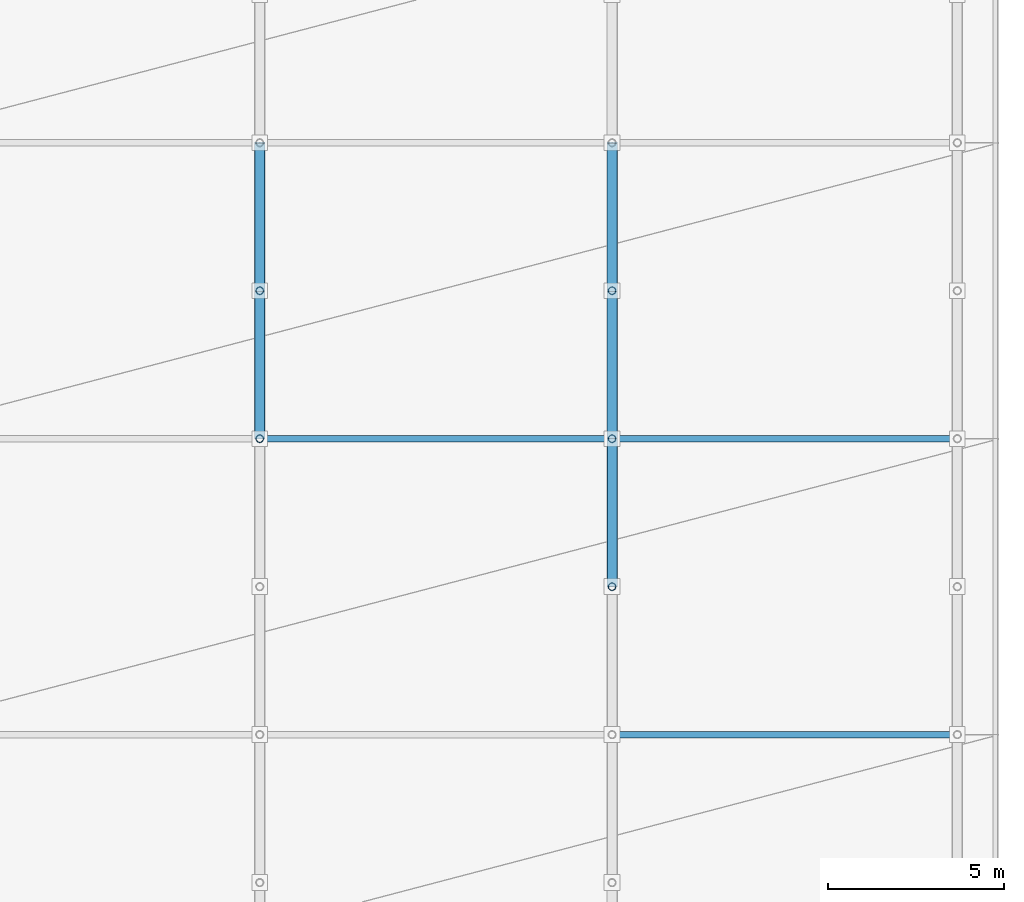
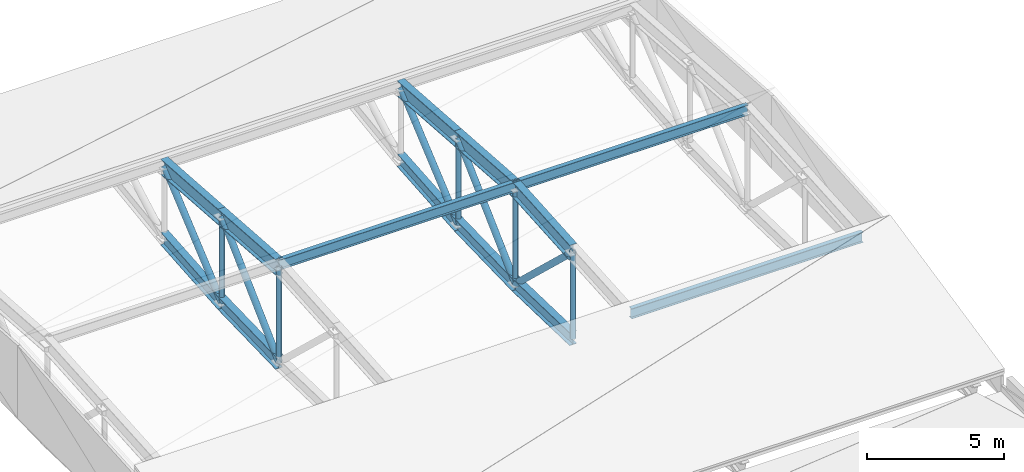
# One storey, part 50 of 87: 13 beams, 10 members.
"""IFC4 building model written with IfcOpenShell, lengths in metres."""

import ifcopenshell
import ifcopenshell.guid

model = None  # the IFC model being written
_history = None  # IfcOwnerHistory: only IFC2X3 demands one
_inside = {}  # id of a spatial element -> (the spatial element, [elements in it])
_under = {}  # id of a project, library or spatial element -> (it, [spatial elements below it])
_declared = {}  # id of a project -> (the project, [libraries it declares])
_typed = {}  # id of a type object -> (the type object, [elements of that type])
_made_of = {}  # id of a material, layer set ... -> (it, [elements and type objects made of it])


def new_model(schema):
    """Start an empty IFC model of exactly this schema.

    Asked for "IFC4X3", IfcOpenShell would pick the latest addendum, in which some entities
    have other attributes; the version numbers below select the first issue.
    IFC2X3 requires an IfcOwnerHistory on every rooted entity: one is made here for all.
    """
    global model, _history
    if schema == "IFC4X3":
        model = ifcopenshell.file(schema_version=(4, 3, 0, 0))
    else:
        model = ifcopenshell.file(schema=schema)
    _inside.clear()
    _under.clear()
    _declared.clear()
    _typed.clear()
    _made_of.clear()
    _history = None
    if model.schema == "IFC2X3":
        org = make("IfcOrganization", Name="unknown")
        user = make(
            "IfcPersonAndOrganization",
            ThePerson=make("IfcPerson", FamilyName="unknown"),
            TheOrganization=org,
        )
        app = make(
            "IfcApplication",
            ApplicationDeveloper=org,
            Version="unknown",
            ApplicationFullName="unknown",
            ApplicationIdentifier="unknown",
        )
        _history = make(
            "IfcOwnerHistory",
            OwningUser=user,
            OwningApplication=app,
            ChangeAction="ADDED",
            CreationDate=0,
        )
    return model


def make(cls, **values):
    """One entity of the class cls with the attributes given. An attribute that is None is left unset."""
    return model.create_entity(
        cls, **{name: value for name, value in values.items() if value is not None}
    )


def rooted(cls, **values):
    """An entity with a GlobalId (a new one), such as an element, a storey or a relation."""
    return make(cls, GlobalId=ifcopenshell.guid.new(), OwnerHistory=_history, **values)


def si_unit(unit_type, name, prefix=None):
    """IfcSIUnit, for example si_unit("LENGTHUNIT", "METRE", prefix="MILLI")."""
    return make("IfcSIUnit", UnitType=unit_type, Prefix=prefix, Name=name)


def assignment(units):
    """IfcUnitAssignment: the units of a project."""
    return None if units is None else make("IfcUnitAssignment", Units=units)


def point(xyz):
    """IfcCartesianPoint."""
    return None if xyz is None else make("IfcCartesianPoint", Coordinates=xyz)


def direction(xyz):
    """IfcDirection."""
    return None if xyz is None else make("IfcDirection", DirectionRatios=xyz)


def frame(location, z_axis=None, x_axis=None):
    """IfcAxis2Placement3D, a coordinate frame: its origin and axes. An axis left out is left unset."""
    return make(
        "IfcAxis2Placement3D",
        Location=point(location),
        Axis=direction(z_axis),
        RefDirection=direction(x_axis),
    )


def frame_2d(location, x_axis=None):
    """IfcAxis2Placement2D, a coordinate frame in the plane: its origin and x axis."""
    return make(
        "IfcAxis2Placement2D", Location=point(location), RefDirection=direction(x_axis)
    )


def origin():
    """The frame at (0, 0, 0) with its axes left unset."""
    return frame((0.0, 0.0, 0.0))


def origin_2d():
    """The frame at (0, 0) in the plane with its x axis left unset."""
    return frame_2d((0.0, 0.0))


def place(relative_to, where):
    """IfcLocalPlacement: puts the frame where relative to a parent placement (None: the world)."""
    return make(
        "IfcLocalPlacement", PlacementRelTo=relative_to, RelativePlacement=where
    )


def context(
    kind, dimensions, precision=None, world=None, true_north=None, identifier=None
):
    """IfcGeometricRepresentationContext, for example the 3D "Model" context."""
    return make(
        "IfcGeometricRepresentationContext",
        ContextIdentifier=identifier,
        ContextType=kind,
        CoordinateSpaceDimension=dimensions,
        Precision=precision,
        WorldCoordinateSystem=world,
        TrueNorth=true_north,
    )


def subcontext(parent, identifier, kind, view, scale=None):
    """IfcGeometricRepresentationSubContext, for example "Body" below "Model"."""
    return make(
        "IfcGeometricRepresentationSubContext",
        ContextIdentifier=identifier,
        ContextType=kind,
        ParentContext=parent,
        TargetScale=scale,
        TargetView=view,
    )


def project(units=None, contexts=None):
    """IfcProject with its units and contexts."""
    return rooted(
        "IfcProject",
        Name="project",
        RepresentationContexts=contexts,
        UnitsInContext=assignment(units),
    )


def spatial(cls, under=None, at=None, **own):
    """A site, building, storey or space (cls), placed at a placement, below another one or the project."""
    s = rooted(cls, ObjectPlacement=at, **own)
    if under is not None:
        _under.setdefault(under.id(), (under, []))[1].append(s)
    return s


def profile(cls, at=None, kind="AREA", **sizes):
    """A parametric profile (cls). Its sizes go by their IFC names, for example OverallWidth=200.0."""
    return make(cls, ProfileType=kind, Position=at, **sizes)


def hollow_circle(**sizes):
    """IfcCircleHollowProfileDef."""
    return profile("IfcCircleHollowProfileDef", **sizes)


def i_section(**sizes):
    """IfcIShapeProfileDef."""
    return profile("IfcIShapeProfileDef", **sizes)


def extrude(swept, where, along, depth):
    """IfcExtrudedAreaSolid: the profile swept, set in the frame where, extruded along a direction by depth."""
    return make(
        "IfcExtrudedAreaSolid",
        SweptArea=swept,
        Position=where,
        ExtrudedDirection=direction(along),
        Depth=depth,
    )


def shape(context_of_items, identifier, shape_type, items):
    """IfcShapeRepresentation: the items that make up one representation, for example the "Body"."""
    return make(
        "IfcShapeRepresentation",
        ContextOfItems=context_of_items,
        RepresentationIdentifier=identifier,
        RepresentationType=shape_type,
        Items=items,
    )


def material(Name=None, Category=None):
    """IfcMaterial."""
    return make("IfcMaterial", Name=Name, Category=Category)


def material_profile(
    of_material, cross_section, Name=None, Category=None, Priority=None
):
    """IfcMaterialProfile: a cross section and its material."""
    return make(
        "IfcMaterialProfile",
        Name=Name,
        Material=of_material,
        Profile=cross_section,
        Priority=Priority,
        Category=Category,
    )


def profile_set(profiles, Name=None, composite=None):
    """IfcMaterialProfileSet."""
    return make(
        "IfcMaterialProfileSet",
        Name=Name,
        MaterialProfiles=profiles,
        CompositeProfile=composite,
    )


def made_of(thing, what):
    """Note that an element or type object is made of a material, layer set ...; save() writes the relation."""
    if what is not None:
        _made_of.setdefault(what.id(), (what, []))[1].append(thing)
    return thing


def type_object(cls, material=None, **own):
    """A type object (cls), such as IfcWallType, which elements share."""
    return made_of(rooted(cls, **own), material)


def element(
    cls,
    number,
    at=None,
    inside=None,
    cuts=None,
    type_object=None,
    material=None,
    context=None,
    identifier="Body",
    shape_type=None,
    held_by="IfcProductDefinitionShape",
    body=None,
    shapes=None,
    **own,
):
    """One element of the class cls, such as IfcWall. Its Tag is "e" and its number.

    at: its placement. inside: the storey or other place that contains it. cuts: it is an
    opening in that element (IfcRelVoidsElement). A single representation is given by context,
    identifier, shape_type and body (its items); several are given by shapes. held_by: the class
    of the entity that holds the representations. save() writes the other relations.
    """
    e = rooted(cls, Tag="e%d" % number, ObjectPlacement=at, **own)
    if body is not None:
        shapes = [shape(context, identifier, shape_type, body)]
    if shapes is not None:
        e.Representation = make(held_by, Representations=shapes)
    if inside is not None:
        _inside.setdefault(inside.id(), (inside, []))[1].append(e)
    if cuts is not None:
        rooted(
            "IfcRelVoidsElement", RelatingBuildingElement=cuts, RelatedOpeningElement=e
        )
    if type_object is not None:
        _typed.setdefault(type_object.id(), (type_object, []))[1].append(e)
    return made_of(e, material)


def aggregate(whole, parts):
    """IfcRelAggregates: a whole, such as a stair, and the parts it consists of."""
    return rooted("IfcRelAggregates", RelatingObject=whole, RelatedObjects=parts)


def save(model, path):
    """Write the relations noted so far, then the file.

    IfcRelAggregates (storeys below a building ...), IfcRelContainedInSpatialStructure (elements
    in a storey), IfcRelDefinesByType, IfcRelAssociatesMaterial and IfcRelDeclares: one each for
    every whole, place, type object, material and project.
    """
    for whole, parts in _under.values():
        aggregate(whole, parts)
    for where, things in _inside.values():
        rooted(
            "IfcRelContainedInSpatialStructure",
            RelatedElements=things,
            RelatingStructure=where,
        )
    for kind, things in _typed.values():
        rooted("IfcRelDefinesByType", RelatedObjects=things, RelatingType=kind)
    for what, things in _made_of.values():
        rooted("IfcRelAssociatesMaterial", RelatedObjects=things, RelatingMaterial=what)
    for by, libraries in _declared.values():
        rooted("IfcRelDeclares", RelatingContext=by, RelatedDefinitions=libraries)
    model.write(path)


model = new_model("IFC4")

# Units and contexts
model_context = context("Model", 3, precision=1e-05, world=origin(), true_north=direction((0.0, 1.0)))
body_context = subcontext(model_context, "Body", "Model", "MODEL_VIEW")
ifc_project = project(units=[si_unit("LENGTHUNIT", "METRE"), si_unit("AREAUNIT", "SQUARE_METRE"), si_unit("VOLUMEUNIT", "CUBIC_METRE"), si_unit("PLANEANGLEUNIT", "RADIAN"), si_unit("MASSUNIT", "GRAM", prefix="KILO")], contexts=[model_context])

# Site, building, storey
site_placement = place(None, origin())
site = spatial("IfcSite", under=ifc_project, at=site_placement, CompositionType="ELEMENT")
building_placement = place(site_placement, origin())
building = spatial("IfcBuilding", under=site, at=building_placement, Name="Sohan Crest Arena", CompositionType="ELEMENT")
storey_placement = place(building_placement, frame((0.0, 0.0, 18.0)))
storey = spatial("IfcBuildingStorey", under=building, at=storey_placement, Name="L04", CompositionType="ELEMENT", Elevation=18.0)

# Beams
ifc_material = material(Name="Steel S355", Category="steel")
ifc_material_profile_1 = material_profile(ifc_material, i_section(OverallWidth=0.18994140625, OverallDepth=0.449951171875, WebThickness=0.009521484375, FlangeThickness=0.0146484375, at=origin_2d()), Name="IPE 450")
ifc_profile_set_1 = profile_set([ifc_material_profile_1], Name="Steel S355")
beam_type_1 = type_object("IfcBeamType", Name="STR-BM-B04", PredefinedType="JOIST", material=ifc_profile_set_1)
beam_1_placement = place(storey_placement, frame((216.0, 85.60009765625, 2.2900390625), z_axis=(1.0, 0.0, 0.0), x_axis=(0.0, 1.0, 0.0)))
element("IfcBeam", 1, at=beam_1_placement, inside=storey, type_object=beam_type_1, Name="Structural beam VP-L04-2492", PredefinedType="JOIST", context=body_context, shape_type="SweptSolid", body=[
    extrude(i_section(OverallWidth=0.18994140625, OverallDepth=0.449951171875, WebThickness=0.009521484375, FlangeThickness=0.0146484375, at=origin_2d()), origin(), (0.0, 0.0, 1.0), 9.800048828125),
])
beam_2_placement = place(storey_placement, frame((206.0, 94.0, 2.889892578125), z_axis=(1.0, 0.0, 0.0), x_axis=(0.0, 1.0, 0.0)))
element("IfcBeam", 2, at=beam_2_placement, inside=storey, type_object=beam_type_1, Name="Structural beam VP-L04-2494", PredefinedType="JOIST", context=body_context, shape_type="SweptSolid", body=[
    extrude(i_section(OverallWidth=0.18994140625, OverallDepth=0.449951171875, WebThickness=0.009521484375, FlangeThickness=0.0146484375, at=origin_2d()), origin(), (0.0, 0.0, 1.0), 10.0),
])
beam_3_placement = place(storey_placement, frame((216.0, 94.0, 2.889892578125), z_axis=(1.0, 0.0, 0.0), x_axis=(0.0, 1.0, 0.0)))
element("IfcBeam", 3, at=beam_3_placement, inside=storey, type_object=beam_type_1, Name="Structural beam VP-L04-2495", PredefinedType="JOIST", context=body_context, shape_type="SweptSolid", body=[
    extrude(i_section(OverallWidth=0.18994140625, OverallDepth=0.449951171875, WebThickness=0.009521484375, FlangeThickness=0.0146484375, at=origin_2d()), origin(), (0.0, 0.0, 1.0), 9.800048828125),
])
ifc_material_profile_2 = material_profile(ifc_material, i_section(OverallWidth=0.300048828125, OverallDepth=0.590087890625, WebThickness=0.012939453125, FlangeThickness=0.02490234375, at=origin_2d()), Name="HEA 600")
ifc_profile_set_2 = profile_set([ifc_material_profile_2], Name="Steel S355")
beam_type_2 = type_object("IfcBeamType", Name="STR-BM-B11", PredefinedType="BEAM", material=ifc_profile_set_2)
beam_4_placement = place(storey_placement, frame((206.0, 94.0, -1.5), z_axis=(0.0, 0.99961902138, 0.02760094374), x_axis=(-1.0, 0.0, 0.0)))
element("IfcBeam", 4, at=beam_4_placement, inside=storey, type_object=beam_type_2, Name="Structural beam VAB-L04-2451", PredefinedType="BEAM", context=body_context, shape_type="SweptSolid", body=[
    extrude(i_section(OverallWidth=0.300048828125, OverallDepth=0.590087890625, WebThickness=0.012939453125, FlangeThickness=0.02490234375, at=origin_2d()), origin(), (0.0, 0.0, 1.0), 4.20166015625),
])
beam_5_placement = place(storey_placement, frame((206.0, 98.199951171875, -1.384033203125), z_axis=(0.0, 0.996605824568, 0.082321506523), x_axis=(-1.0, 0.0, 0.0)))
element("IfcBeam", 5, at=beam_5_placement, inside=storey, type_object=beam_type_2, Name="Structural beam VAB-L04-2453", PredefinedType="BEAM", context=body_context, shape_type="SweptSolid", body=[
    extrude(i_section(OverallWidth=0.300048828125, OverallDepth=0.590087890625, WebThickness=0.012939453125, FlangeThickness=0.02490234375, at=origin_2d()), origin(), (0.0, 0.0, 1.0), 4.21435546875),
])
for number, where, z_axis, x_axis, name in (
    (6, (216.0, 89.800048828125, -1.384033203125), (0.0, 0.99961902138, -0.02760094374), (-1.0, 0.0, 0.0), "Structural beam VAB-L04-2465"),
    (7, (216.0, 94.0, -1.5), (0.0, 0.99961902138, 0.02760094374), (-1.0, 0.0, 0.0), "Structural beam VAB-L04-2467"),
):
    element("IfcBeam", number, at=place(storey_placement, frame(where, z_axis=z_axis, x_axis=x_axis)), inside=storey, type_object=beam_type_2, Name=name, PredefinedType="BEAM", context=body_context, shape_type="SweptSolid", body=[
        extrude(i_section(OverallWidth=0.300048828125, OverallDepth=0.590087890625, WebThickness=0.012939453125, FlangeThickness=0.02490234375, at=origin_2d()), origin(), (0.0, 0.0, 1.0), 4.20166015625),
    ])
beam_6_placement = place(storey_placement, frame((216.0, 98.199951171875, -1.384033203125), z_axis=(0.0, 0.996605824568, 0.082321506523), x_axis=(-1.0, 0.0, 0.0)))
element("IfcBeam", 8, at=beam_6_placement, inside=storey, type_object=beam_type_2, Name="Structural beam VAB-L04-2469", PredefinedType="BEAM", context=body_context, shape_type="SweptSolid", body=[
    extrude(i_section(OverallWidth=0.300048828125, OverallDepth=0.590087890625, WebThickness=0.012939453125, FlangeThickness=0.02490234375, at=origin_2d()), origin(), (0.0, 0.0, 1.0), 4.21435546875),
])
ifc_material_profile_3 = material_profile(ifc_material, i_section(OverallWidth=0.300048828125, OverallDepth=0.699951171875, WebThickness=0.01708984375, FlangeThickness=0.031982421875, at=origin_2d()), Name="HEB 700")
ifc_profile_set_3 = profile_set([ifc_material_profile_3], Name="Steel S355")
beam_type_3 = type_object("IfcBeamType", Name="STR-BM-B16", PredefinedType="BEAM", material=ifc_profile_set_3)
for number, where, z_axis, x_axis, name in (
    (9, (206.0, 94.0, 2.77001953125), (0.0, 0.997457816785, -0.071259411546), (-1.0, 0.0, 0.0), "Structural beam VA-L04-2450"),
    (10, (206.0, 98.199951171875, 2.469970703125), (0.0, 0.997457816785, -0.071259411546), (-1.0, 0.0, 0.0), "Structural beam VA-L04-2452"),
    (11, (216.0, 89.800048828125, 2.469970703125), (0.0, 0.997457816785, 0.071259411546), (-1.0, 0.0, 0.0), "Structural beam VA-L04-2464"),
    (12, (216.0, 94.0, 2.77001953125), (0.0, 0.997457816785, -0.071259411546), (-1.0, 0.0, 0.0), "Structural beam VA-L04-2466"),
    (13, (216.0, 98.199951171875, 2.469970703125), (0.0, 0.997457816785, -0.071259411546), (-1.0, 0.0, 0.0), "Structural beam VA-L04-2468"),
):
    element("IfcBeam", number, at=place(storey_placement, frame(where, z_axis=z_axis, x_axis=x_axis)), inside=storey, type_object=beam_type_3, Name=name, PredefinedType="BEAM", context=body_context, shape_type="SweptSolid", body=[
        extrude(i_section(OverallWidth=0.300048828125, OverallDepth=0.699951171875, WebThickness=0.01708984375, FlangeThickness=0.031982421875, at=origin_2d()), origin(), (0.0, 0.0, 1.0), 4.210693359375),
    ])

# Members
ifc_material_profile_4 = material_profile(ifc_material, hollow_circle(Radius=0.109619140625, WallThickness=0.010009765625, at=origin_2d()), Name="CHS 219.1x10")
ifc_profile_set_4 = profile_set([ifc_material_profile_4], Name="Steel S355")
member_type_1 = type_object("IfcMemberType", Name="STR-MEM-BR01", PredefinedType="BRACE", material=ifc_profile_set_4)
member_1_placement = place(storey_placement, frame((206.0, 94.0, -1.5), z_axis=(0.0, 0.0, 1.0), x_axis=(1.0, 0.0, 0.0)))
element("IfcMember", 14, at=member_1_placement, inside=storey, type_object=member_type_1, Name="Vault truss web strut VW-023", PredefinedType="BRACE", context=body_context, shape_type="SweptSolid", body=[
    extrude(hollow_circle(Radius=0.109619140625, WallThickness=0.010009765625, at=origin_2d()), origin(), (0.0, 0.0, 1.0), 4.27001953125),
])
for number, where, z_axis, x_axis, name in (
    (15, (206.0, 98.199951171875, -1.384033203125), (0.0, 0.0, 1.0), (1.0, 0.0, 0.0), "Vault truss web strut VW-025"),
    (16, (216.0, 89.800048828125, -1.384033203125), (0.0, 0.0, 1.0), (1.0, 0.0, 0.0), "Vault truss web strut VW-036"),
):
    element("IfcMember", number, at=place(storey_placement, frame(where, z_axis=z_axis, x_axis=x_axis)), inside=storey, type_object=member_type_1, Name=name, PredefinedType="BRACE", context=body_context, shape_type="SweptSolid", body=[
        extrude(hollow_circle(Radius=0.109619140625, WallThickness=0.010009765625, at=origin_2d()), origin(), (0.0, 0.0, 1.0), 3.85400390625),
    ])
member_2_placement = place(storey_placement, frame((216.0, 94.0, -1.5), z_axis=(0.0, 0.0, 1.0), x_axis=(1.0, 0.0, 0.0)))
element("IfcMember", 17, at=member_2_placement, inside=storey, type_object=member_type_1, Name="Vault truss web strut VW-038", PredefinedType="BRACE", context=body_context, shape_type="SweptSolid", body=[
    extrude(hollow_circle(Radius=0.109619140625, WallThickness=0.010009765625, at=origin_2d()), origin(), (0.0, 0.0, 1.0), 4.27001953125),
])
member_3_placement = place(storey_placement, frame((216.0, 98.199951171875, -1.384033203125), z_axis=(0.0, 0.0, 1.0), x_axis=(1.0, 0.0, 0.0)))
element("IfcMember", 18, at=member_3_placement, inside=storey, type_object=member_type_1, Name="Vault truss web strut VW-040", PredefinedType="BRACE", context=body_context, shape_type="SweptSolid", body=[
    extrude(hollow_circle(Radius=0.109619140625, WallThickness=0.010009765625, at=origin_2d()), origin(), (0.0, 0.0, 1.0), 3.85400390625),
])
ifc_material_profile_5 = material_profile(ifc_material, hollow_circle(Radius=0.136474609375, WallThickness=0.012451171875, at=origin_2d()), Name="CHS 273x12.5")
ifc_profile_set_5 = profile_set([ifc_material_profile_5], Name="Steel S355")
member_type_2 = type_object("IfcMemberType", Name="STR-MEM-BR02", PredefinedType="BRACE", material=ifc_profile_set_5)
member_4_placement = place(storey_placement, frame((206.0, 94.0, -1.5), z_axis=(0.0, 0.726723719959, 0.686929861667), x_axis=(-1.0, 0.0, 0.0)))
element("IfcMember", 19, at=member_4_placement, inside=storey, type_object=member_type_2, Name="Vault truss diagonal VDG-024", PredefinedType="BRACE", context=body_context, shape_type="SweptSolid", body=[
    extrude(hollow_circle(Radius=0.136474609375, WallThickness=0.012451171875, at=origin_2d()), origin(), (0.0, 0.0, 1.0), 5.779296875),
])
member_5_placement = place(storey_placement, frame((206.0, 98.199951171875, -1.384033203125), z_axis=(0.0, 0.763372819868, 0.645958154904), x_axis=(-1.0, 0.0, 0.0)))
element("IfcMember", 20, at=member_5_placement, inside=storey, type_object=member_type_2, Name="Vault truss diagonal VDG-026", PredefinedType="BRACE", context=body_context, shape_type="SweptSolid", body=[
    extrude(hollow_circle(Radius=0.136474609375, WallThickness=0.012451171875, at=origin_2d()), origin(), (0.0, 0.0, 1.0), 5.501953125),
])
for number, where, z_axis, x_axis, name in (
    (21, (216.0, 94.0, -1.5), (0.0, -0.726723719959, 0.686929861667), (1.0, 0.0, 0.0), "Vault truss diagonal VDG-037"),
    (22, (216.0, 94.0, -1.5), (0.0, 0.726723719959, 0.686929861667), (-1.0, 0.0, 0.0), "Vault truss diagonal VDG-039"),
):
    element("IfcMember", number, at=place(storey_placement, frame(where, z_axis=z_axis, x_axis=x_axis)), inside=storey, type_object=member_type_2, Name=name, PredefinedType="BRACE", context=body_context, shape_type="SweptSolid", body=[
        extrude(hollow_circle(Radius=0.136474609375, WallThickness=0.012451171875, at=origin_2d()), origin(), (0.0, 0.0, 1.0), 5.779296875),
    ])
member_6_placement = place(storey_placement, frame((216.0, 98.199951171875, -1.384033203125), z_axis=(0.0, 0.763372819868, 0.645958154904), x_axis=(-1.0, 0.0, 0.0)))
element("IfcMember", 23, at=member_6_placement, inside=storey, type_object=member_type_2, Name="Vault truss diagonal VDG-041", PredefinedType="BRACE", context=body_context, shape_type="SweptSolid", body=[
    extrude(hollow_circle(Radius=0.136474609375, WallThickness=0.012451171875, at=origin_2d()), origin(), (0.0, 0.0, 1.0), 5.501953125),
])

save(model, "model.ifc")
